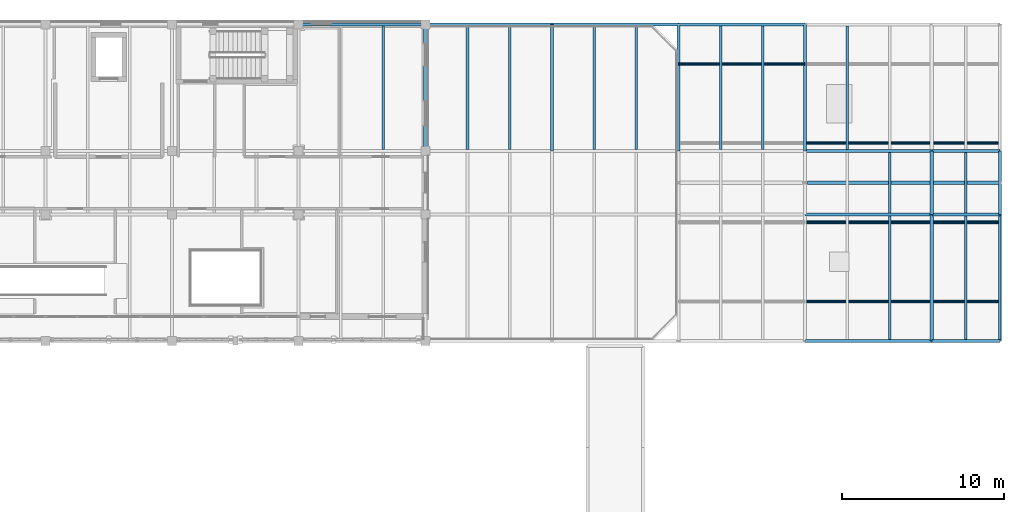
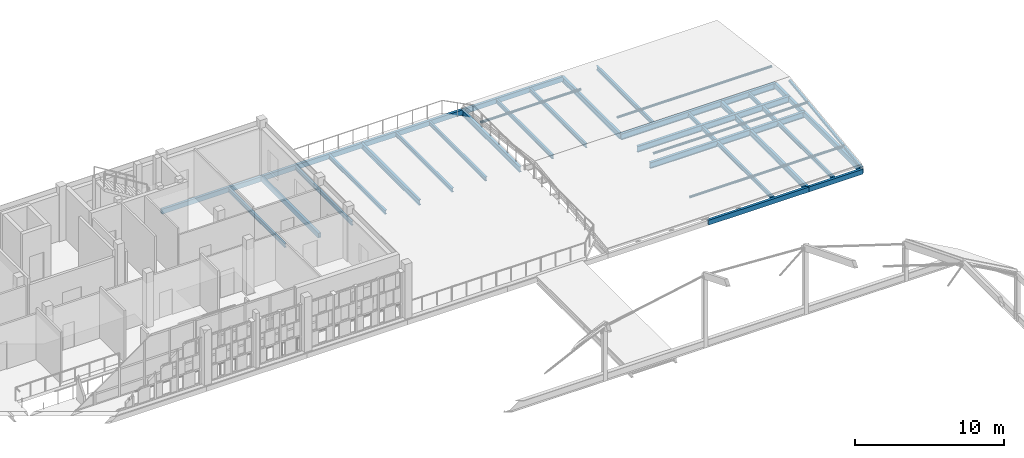
# One storey, part 64 of 119: 31 beams, 5 members.
"""IFC4 building model written with IfcOpenShell, lengths in metres."""

import ifcopenshell
import ifcopenshell.guid

model = None  # the IFC model being written
_history = None  # IfcOwnerHistory: only IFC2X3 demands one
_inside = {}  # id of a spatial element -> (the spatial element, [elements in it])
_under = {}  # id of a project, library or spatial element -> (it, [spatial elements below it])
_declared = {}  # id of a project -> (the project, [libraries it declares])
_typed = {}  # id of a type object -> (the type object, [elements of that type])
_made_of = {}  # id of a material, layer set ... -> (it, [elements and type objects made of it])


def new_model(schema):
    """Start an empty IFC model of exactly this schema.

    Asked for "IFC4X3", IfcOpenShell would pick the latest addendum, in which some entities
    have other attributes; the version numbers below select the first issue.
    IFC2X3 requires an IfcOwnerHistory on every rooted entity: one is made here for all.
    """
    global model, _history
    if schema == "IFC4X3":
        model = ifcopenshell.file(schema_version=(4, 3, 0, 0))
    else:
        model = ifcopenshell.file(schema=schema)
    _inside.clear()
    _under.clear()
    _declared.clear()
    _typed.clear()
    _made_of.clear()
    _history = None
    if model.schema == "IFC2X3":
        org = make("IfcOrganization", Name="unknown")
        user = make(
            "IfcPersonAndOrganization",
            ThePerson=make("IfcPerson", FamilyName="unknown"),
            TheOrganization=org,
        )
        app = make(
            "IfcApplication",
            ApplicationDeveloper=org,
            Version="unknown",
            ApplicationFullName="unknown",
            ApplicationIdentifier="unknown",
        )
        _history = make(
            "IfcOwnerHistory",
            OwningUser=user,
            OwningApplication=app,
            ChangeAction="ADDED",
            CreationDate=0,
        )
    return model


def make(cls, **values):
    """One entity of the class cls with the attributes given. An attribute that is None is left unset."""
    return model.create_entity(
        cls, **{name: value for name, value in values.items() if value is not None}
    )


def rooted(cls, **values):
    """An entity with a GlobalId (a new one), such as an element, a storey or a relation."""
    return make(cls, GlobalId=ifcopenshell.guid.new(), OwnerHistory=_history, **values)


def si_unit(unit_type, name, prefix=None):
    """IfcSIUnit, for example si_unit("LENGTHUNIT", "METRE", prefix="MILLI")."""
    return make("IfcSIUnit", UnitType=unit_type, Prefix=prefix, Name=name)


def assignment(units):
    """IfcUnitAssignment: the units of a project."""
    return None if units is None else make("IfcUnitAssignment", Units=units)


def point(xyz):
    """IfcCartesianPoint."""
    return None if xyz is None else make("IfcCartesianPoint", Coordinates=xyz)


def direction(xyz):
    """IfcDirection."""
    return None if xyz is None else make("IfcDirection", DirectionRatios=xyz)


def frame(location, z_axis=None, x_axis=None):
    """IfcAxis2Placement3D, a coordinate frame: its origin and axes. An axis left out is left unset."""
    return make(
        "IfcAxis2Placement3D",
        Location=point(location),
        Axis=direction(z_axis),
        RefDirection=direction(x_axis),
    )


def frame_2d(location, x_axis=None):
    """IfcAxis2Placement2D, a coordinate frame in the plane: its origin and x axis."""
    return make(
        "IfcAxis2Placement2D", Location=point(location), RefDirection=direction(x_axis)
    )


def origin():
    """The frame at (0, 0, 0) with its axes left unset."""
    return frame((0.0, 0.0, 0.0))


def origin_2d():
    """The frame at (0, 0) in the plane with its x axis left unset."""
    return frame_2d((0.0, 0.0))


def place(relative_to, where):
    """IfcLocalPlacement: puts the frame where relative to a parent placement (None: the world)."""
    return make(
        "IfcLocalPlacement", PlacementRelTo=relative_to, RelativePlacement=where
    )


def context(
    kind, dimensions, precision=None, world=None, true_north=None, identifier=None
):
    """IfcGeometricRepresentationContext, for example the 3D "Model" context."""
    return make(
        "IfcGeometricRepresentationContext",
        ContextIdentifier=identifier,
        ContextType=kind,
        CoordinateSpaceDimension=dimensions,
        Precision=precision,
        WorldCoordinateSystem=world,
        TrueNorth=true_north,
    )


def subcontext(parent, identifier, kind, view, scale=None):
    """IfcGeometricRepresentationSubContext, for example "Body" below "Model"."""
    return make(
        "IfcGeometricRepresentationSubContext",
        ContextIdentifier=identifier,
        ContextType=kind,
        ParentContext=parent,
        TargetScale=scale,
        TargetView=view,
    )


def project(units=None, contexts=None):
    """IfcProject with its units and contexts."""
    return rooted(
        "IfcProject",
        Name="project",
        RepresentationContexts=contexts,
        UnitsInContext=assignment(units),
    )


def spatial(cls, under=None, at=None, **own):
    """A site, building, storey or space (cls), placed at a placement, below another one or the project."""
    s = rooted(cls, ObjectPlacement=at, **own)
    if under is not None:
        _under.setdefault(under.id(), (under, []))[1].append(s)
    return s


def profile(cls, at=None, kind="AREA", **sizes):
    """A parametric profile (cls). Its sizes go by their IFC names, for example OverallWidth=200.0."""
    return make(cls, ProfileType=kind, Position=at, **sizes)


def hollow_rectangle(**sizes):
    """IfcRectangleHollowProfileDef."""
    return profile("IfcRectangleHollowProfileDef", **sizes)


def hollow_circle(**sizes):
    """IfcCircleHollowProfileDef."""
    return profile("IfcCircleHollowProfileDef", **sizes)


def i_section(**sizes):
    """IfcIShapeProfileDef."""
    return profile("IfcIShapeProfileDef", **sizes)


def extrude(swept, where, along, depth):
    """IfcExtrudedAreaSolid: the profile swept, set in the frame where, extruded along a direction by depth."""
    return make(
        "IfcExtrudedAreaSolid",
        SweptArea=swept,
        Position=where,
        ExtrudedDirection=direction(along),
        Depth=depth,
    )


def shape(context_of_items, identifier, shape_type, items):
    """IfcShapeRepresentation: the items that make up one representation, for example the "Body"."""
    return make(
        "IfcShapeRepresentation",
        ContextOfItems=context_of_items,
        RepresentationIdentifier=identifier,
        RepresentationType=shape_type,
        Items=items,
    )


def material(Name=None, Category=None):
    """IfcMaterial."""
    return make("IfcMaterial", Name=Name, Category=Category)


def material_profile(
    of_material, cross_section, Name=None, Category=None, Priority=None
):
    """IfcMaterialProfile: a cross section and its material."""
    return make(
        "IfcMaterialProfile",
        Name=Name,
        Material=of_material,
        Profile=cross_section,
        Priority=Priority,
        Category=Category,
    )


def profile_set(profiles, Name=None, composite=None):
    """IfcMaterialProfileSet."""
    return make(
        "IfcMaterialProfileSet",
        Name=Name,
        MaterialProfiles=profiles,
        CompositeProfile=composite,
    )


def made_of(thing, what):
    """Note that an element or type object is made of a material, layer set ...; save() writes the relation."""
    if what is not None:
        _made_of.setdefault(what.id(), (what, []))[1].append(thing)
    return thing


def type_object(cls, material=None, **own):
    """A type object (cls), such as IfcWallType, which elements share."""
    return made_of(rooted(cls, **own), material)


def element(
    cls,
    number,
    at=None,
    inside=None,
    cuts=None,
    type_object=None,
    material=None,
    context=None,
    identifier="Body",
    shape_type=None,
    held_by="IfcProductDefinitionShape",
    body=None,
    shapes=None,
    **own,
):
    """One element of the class cls, such as IfcWall. Its Tag is "e" and its number.

    at: its placement. inside: the storey or other place that contains it. cuts: it is an
    opening in that element (IfcRelVoidsElement). A single representation is given by context,
    identifier, shape_type and body (its items); several are given by shapes. held_by: the class
    of the entity that holds the representations. save() writes the other relations.
    """
    e = rooted(cls, Tag="e%d" % number, ObjectPlacement=at, **own)
    if body is not None:
        shapes = [shape(context, identifier, shape_type, body)]
    if shapes is not None:
        e.Representation = make(held_by, Representations=shapes)
    if inside is not None:
        _inside.setdefault(inside.id(), (inside, []))[1].append(e)
    if cuts is not None:
        rooted(
            "IfcRelVoidsElement", RelatingBuildingElement=cuts, RelatedOpeningElement=e
        )
    if type_object is not None:
        _typed.setdefault(type_object.id(), (type_object, []))[1].append(e)
    return made_of(e, material)


def aggregate(whole, parts):
    """IfcRelAggregates: a whole, such as a stair, and the parts it consists of."""
    return rooted("IfcRelAggregates", RelatingObject=whole, RelatedObjects=parts)


def save(model, path):
    """Write the relations noted so far, then the file.

    IfcRelAggregates (storeys below a building ...), IfcRelContainedInSpatialStructure (elements
    in a storey), IfcRelDefinesByType, IfcRelAssociatesMaterial and IfcRelDeclares: one each for
    every whole, place, type object, material and project.
    """
    for whole, parts in _under.values():
        aggregate(whole, parts)
    for where, things in _inside.values():
        rooted(
            "IfcRelContainedInSpatialStructure",
            RelatedElements=things,
            RelatingStructure=where,
        )
    for kind, things in _typed.values():
        rooted("IfcRelDefinesByType", RelatedObjects=things, RelatingType=kind)
    for what, things in _made_of.values():
        rooted("IfcRelAssociatesMaterial", RelatedObjects=things, RelatingMaterial=what)
    for by, libraries in _declared.values():
        rooted("IfcRelDeclares", RelatingContext=by, RelatedDefinitions=libraries)
    model.write(path)


model = new_model("IFC4")

# Units and contexts
model_context = context("Model", 3, precision=1e-05, world=origin(), true_north=direction((0.0, 1.0)))
body_context = subcontext(model_context, "Body", "Model", "MODEL_VIEW")
ifc_project = project(units=[si_unit("LENGTHUNIT", "METRE"), si_unit("AREAUNIT", "SQUARE_METRE"), si_unit("VOLUMEUNIT", "CUBIC_METRE"), si_unit("PLANEANGLEUNIT", "RADIAN"), si_unit("MASSUNIT", "GRAM", prefix="KILO")], contexts=[model_context])

# Site, building, storey
site_placement = place(None, origin())
site = spatial("IfcSite", under=ifc_project, at=site_placement, CompositionType="ELEMENT")
building_placement = place(site_placement, origin())
building = spatial("IfcBuilding", under=site, at=building_placement, Name="Celorna Specialist Clinic", CompositionType="ELEMENT")
storey_placement = place(building_placement, frame((0.0, 0.0, 9.60009765625)))
storey = spatial("IfcBuildingStorey", under=building, at=storey_placement, Name="L02", CompositionType="ELEMENT", Elevation=9.60009765625)

# Beams
ifc_material = material(Name="Steel S355", Category="steel")
ifc_material_profile_1 = material_profile(ifc_material, i_section(OverallWidth=0.199951171875, OverallDepth=0.5, WebThickness=0.01025390625, FlangeThickness=0.01611328125, at=origin_2d()), Name="IPE 500")
ifc_profile_set_1 = profile_set([ifc_material_profile_1], Name="Steel S355")
beam_type_1 = type_object("IfcBeamType", Name="BM-08", PredefinedType="BEAM", material=ifc_profile_set_1)
beam_1_placement = place(storey_placement, frame((156.0, 104.300048828125, -0.510009765625), z_axis=(1.0, 0.0, 0.0), x_axis=(0.0, 1.0, 0.0)))
element("IfcBeam", 1, at=beam_1_placement, inside=storey, type_object=beam_type_1, Name="Primary girder BM-08 #2255", PredefinedType="BEAM", context=body_context, shape_type="SweptSolid", body=[
    extrude(i_section(OverallWidth=0.199951171875, OverallDepth=0.5, WebThickness=0.01025390625, FlangeThickness=0.01611328125, at=origin_2d()), origin(), (0.0, 0.0, 1.0), 7.800048828125),
])
beam_2_placement = place(storey_placement, frame((163.800048828125, 104.300048828125, -0.510009765625), z_axis=(1.0, 0.0, 0.0), x_axis=(0.0, 1.0, 0.0)))
element("IfcBeam", 2, at=beam_2_placement, inside=storey, type_object=beam_type_1, Name="Primary girder BM-08 #2256", PredefinedType="BEAM", context=body_context, shape_type="SweptSolid", body=[
    extrude(i_section(OverallWidth=0.199951171875, OverallDepth=0.5, WebThickness=0.01025390625, FlangeThickness=0.01611328125, at=origin_2d()), origin(), (0.0, 0.0, 1.0), 4.199951171875),
])
beam_3_placement = place(storey_placement, frame((156.0, 108.199951171875, -0.510009765625), z_axis=(1.0, 0.0, 0.0), x_axis=(0.0, 1.0, 0.0)))
element("IfcBeam", 3, at=beam_3_placement, inside=storey, type_object=beam_type_1, Name="Primary girder BM-08 #2260", PredefinedType="BEAM", context=body_context, shape_type="SweptSolid", body=[
    extrude(i_section(OverallWidth=0.199951171875, OverallDepth=0.5, WebThickness=0.01025390625, FlangeThickness=0.01611328125, at=origin_2d()), origin(), (0.0, 0.0, 1.0), 7.800048828125),
])
beam_4_placement = place(storey_placement, frame((163.800048828125, 108.199951171875, -0.510009765625), z_axis=(1.0, 0.0, 0.0), x_axis=(0.0, 1.0, 0.0)))
element("IfcBeam", 4, at=beam_4_placement, inside=storey, type_object=beam_type_1, Name="Primary girder BM-08 #2261", PredefinedType="BEAM", context=body_context, shape_type="SweptSolid", body=[
    extrude(i_section(OverallWidth=0.199951171875, OverallDepth=0.5, WebThickness=0.01025390625, FlangeThickness=0.01611328125, at=origin_2d()), origin(), (0.0, 0.0, 1.0), 4.199951171875),
])
beam_5_placement = place(storey_placement, frame((156.14990234375, 106.25, -0.400146484375), z_axis=(1.0, 0.0, 0.0), x_axis=(0.0, 1.0, 0.0)))
element("IfcBeam", 5, at=beam_5_placement, inside=storey, type_object=beam_type_1, Name="V4 east pavilion roof ridge girder", PredefinedType="BEAM", context=body_context, shape_type="SweptSolid", body=[
    extrude(i_section(OverallWidth=0.199951171875, OverallDepth=0.5, WebThickness=0.01025390625, FlangeThickness=0.01611328125, at=origin_2d()), origin(), (0.0, 0.0, 1.0), 11.85009765625),
])
ifc_material_profile_2 = material_profile(ifc_material, i_section(OverallWidth=0.18994140625, OverallDepth=0.449951171875, WebThickness=0.009521484375, FlangeThickness=0.0146484375, at=origin_2d()), Name="IPE 450")
ifc_profile_set_2 = profile_set([ifc_material_profile_2], Name="Steel S355")
beam_type_2 = type_object("IfcBeamType", Name="BM-09", PredefinedType="BEAM", material=ifc_profile_set_2)
for number, where, z_axis, x_axis, name in (
    (6, (140.39990234375, 108.199951171875, -0.485107421875), (0.0, 1.0, 0.0), (-1.0, 0.0, 0.0), "Transverse girder BM-09 #2269"),
    (7, (148.199951171875, 108.199951171875, -0.485107421875), (0.0, 1.0, 0.0), (-1.0, 0.0, 0.0), "Transverse girder BM-09 #2272"),
    (8, (156.0, 108.199951171875, -0.485107421875), (0.0, 1.0, 0.0), (-1.0, 0.0, 0.0), "Transverse girder BM-09 #2275"),
    (9, (163.800048828125, 96.5, -0.485107421875), (0.0, 1.0, 0.0), (-1.0, 0.0, 0.0), "Transverse girder BM-09 #2276"),
):
    element("IfcBeam", number, at=place(storey_placement, frame(where, z_axis=z_axis, x_axis=x_axis)), inside=storey, type_object=beam_type_2, Name=name, PredefinedType="BEAM", context=body_context, shape_type="SweptSolid", body=[
        extrude(i_section(OverallWidth=0.18994140625, OverallDepth=0.449951171875, WebThickness=0.009521484375, FlangeThickness=0.0146484375, at=origin_2d()), origin(), (0.0, 0.0, 1.0), 7.800048828125),
    ])
beam_6_placement = place(storey_placement, frame((163.800048828125, 104.300048828125, -0.485107421875), z_axis=(0.0, 1.0, 0.0), x_axis=(-1.0, 0.0, 0.0)))
element("IfcBeam", 10, at=beam_6_placement, inside=storey, type_object=beam_type_2, Name="Transverse girder BM-09 #2277", PredefinedType="BEAM", context=body_context, shape_type="SweptSolid", body=[
    extrude(i_section(OverallWidth=0.18994140625, OverallDepth=0.449951171875, WebThickness=0.009521484375, FlangeThickness=0.0146484375, at=origin_2d()), origin(), (0.0, 0.0, 1.0), 3.89990234375),
])
ifc_material_profile_3 = material_profile(ifc_material, i_section(OverallWidth=0.159912109375, OverallDepth=0.330078125, WebThickness=0.007568359375, FlangeThickness=0.011474609375, at=origin_2d()), Name="IPE 330")
ifc_profile_set_3 = profile_set([ifc_material_profile_3], Name="Steel S355")
beam_type_3 = type_object("IfcBeamType", Name="BM-12", PredefinedType="JOIST", material=ifc_profile_set_3)
for number, where, z_axis, x_axis, name in (
    (11, (130.0, 108.2880859375, -0.425048828125), (0.0, 1.0, 0.0), (-1.0, 0.0, 0.0), "Secondary floor joist BM-12 #1200"),
    (12, (135.199951171875, 108.2880859375, -0.425048828125), (0.0, 1.0, 0.0), (-1.0, 0.0, 0.0), "Secondary floor joist BM-12 #2286"),
    (13, (137.800048828125, 108.2880859375, -0.425048828125), (0.0, 1.0, 0.0), (-1.0, 0.0, 0.0), "Secondary floor joist BM-12 #2287"),
    (14, (143.0, 108.2880859375, -0.425048828125), (0.0, 1.0, 0.0), (-1.0, 0.0, 0.0), "Secondary floor joist BM-12 #2292"),
    (15, (145.60009765625, 108.2880859375, -0.425048828125), (0.0, 1.0, 0.0), (-1.0, 0.0, 0.0), "Secondary floor joist BM-12 #2293"),
    (16, (150.800048828125, 108.2880859375, -0.425048828125), (0.0, 1.0, 0.0), (-1.0, 0.0, 0.0), "Secondary floor joist BM-12 #2298"),
    (17, (153.39990234375, 108.2880859375, -0.425048828125), (0.0, 1.0, 0.0), (-1.0, 0.0, 0.0), "Secondary floor joist BM-12 #2299"),
    (18, (161.199951171875, 96.587890625, -0.425048828125), (0.0, 1.0, 0.0), (-1.0, 0.0, 0.0), "Secondary floor joist BM-12 #2301"),
):
    element("IfcBeam", number, at=place(storey_placement, frame(where, z_axis=z_axis, x_axis=x_axis)), inside=storey, type_object=beam_type_3, Name=name, PredefinedType="JOIST", context=body_context, shape_type="SweptSolid", body=[
        extrude(i_section(OverallWidth=0.159912109375, OverallDepth=0.330078125, WebThickness=0.007568359375, FlangeThickness=0.011474609375, at=origin_2d()), origin(), (0.0, 0.0, 1.0), 7.6240234375),
    ])
beam_7_placement = place(storey_placement, frame((161.199951171875, 104.387939453125, -0.425048828125), z_axis=(0.0, 1.0, 0.0), x_axis=(-1.0, 0.0, 0.0)))
element("IfcBeam", 19, at=beam_7_placement, inside=storey, type_object=beam_type_3, Name="Secondary floor joist BM-12 #2303", PredefinedType="JOIST", context=body_context, shape_type="SweptSolid", body=[
    extrude(i_section(OverallWidth=0.159912109375, OverallDepth=0.330078125, WebThickness=0.007568359375, FlangeThickness=0.011474609375, at=origin_2d()), origin(), (0.0, 0.0, 1.0), 3.72412109375),
])
for number, where, z_axis, x_axis, name in (
    (20, (158.60009765625, 108.2880859375, -0.425048828125), (0.0, 1.0, 0.0), (-1.0, 0.0, 0.0), "Secondary floor joist BM-12 #2304"),
    (21, (165.89990234375, 96.587890625, -0.425048828125), (0.0, 1.0, 0.0), (-1.0, 0.0, 0.0), "Secondary floor joist BM-12 #2306"),
):
    element("IfcBeam", number, at=place(storey_placement, frame(where, z_axis=z_axis, x_axis=x_axis)), inside=storey, type_object=beam_type_3, Name=name, PredefinedType="JOIST", context=body_context, shape_type="SweptSolid", body=[
        extrude(i_section(OverallWidth=0.159912109375, OverallDepth=0.330078125, WebThickness=0.007568359375, FlangeThickness=0.011474609375, at=origin_2d()), origin(), (0.0, 0.0, 1.0), 7.6240234375),
    ])
beam_8_placement = place(storey_placement, frame((165.89990234375, 104.387939453125, -0.425048828125), z_axis=(0.0, 1.0, 0.0), x_axis=(-1.0, 0.0, 0.0)))
element("IfcBeam", 22, at=beam_8_placement, inside=storey, type_object=beam_type_3, Name="Secondary floor joist BM-12 #2307", PredefinedType="JOIST", context=body_context, shape_type="SweptSolid", body=[
    extrude(i_section(OverallWidth=0.159912109375, OverallDepth=0.330078125, WebThickness=0.007568359375, FlangeThickness=0.011474609375, at=origin_2d()), origin(), (0.0, 0.0, 1.0), 3.72412109375),
])
ifc_material_profile_4 = material_profile(ifc_material, hollow_rectangle(XDim=0.199951171875, YDim=0.39990234375, WallThickness=0.011962890625, at=origin_2d()), Name="RHS 200x400x12")
ifc_profile_set_4 = profile_set([ifc_material_profile_4], Name="Steel S355")
beam_type_4 = type_object("IfcBeamType", Name="BM-15", PredefinedType="SPANDREL", material=ifc_profile_set_4)
for number, where, z_axis, x_axis, name in (
    (23, (124.800048828125, 116.0, -0.460205078125), (1.0, 0.0, 0.0), (0.0, 1.0, 0.0), "Spandrel beam BM-15 #1109"),
    (24, (132.60009765625, 108.199951171875, -0.460205078125), (0.0, 1.0, 0.0), (-1.0, 0.0, 0.0), "Spandrel beam BM-15 #1144"),
    (25, (156.0, 96.5, -0.460205078125), (1.0, 0.0, 0.0), (0.0, 1.0, 0.0), "Spandrel beam BM-15 #2250"),
):
    element("IfcBeam", number, at=place(storey_placement, frame(where, z_axis=z_axis, x_axis=x_axis)), inside=storey, type_object=beam_type_4, Name=name, PredefinedType="SPANDREL", context=body_context, shape_type="SweptSolid", body=[
        extrude(hollow_rectangle(XDim=0.199951171875, YDim=0.39990234375, WallThickness=0.011962890625, at=origin_2d()), origin(), (0.0, 0.0, 1.0), 7.800048828125),
    ])
beam_9_placement = place(storey_placement, frame((163.800048828125, 96.5, -0.460205078125), z_axis=(1.0, 0.0, 0.0), x_axis=(0.0, 1.0, 0.0)))
element("IfcBeam", 26, at=beam_9_placement, inside=storey, type_object=beam_type_4, Name="Spandrel beam BM-15 #2251", PredefinedType="SPANDREL", context=body_context, shape_type="SweptSolid", body=[
    extrude(hollow_rectangle(XDim=0.199951171875, YDim=0.39990234375, WallThickness=0.011962890625, at=origin_2d()), origin(), (0.0, 0.0, 1.0), 4.199951171875),
])
beam_10_placement = place(storey_placement, frame((132.60009765625, 116.0, -0.460205078125), z_axis=(1.0, 0.0, 0.0), x_axis=(0.0, 1.0, 0.0)))
element("IfcBeam", 27, at=beam_10_placement, inside=storey, type_object=beam_type_4, Name="Spandrel beam BM-15 #2262", PredefinedType="SPANDREL", context=body_context, shape_type="SweptSolid", body=[
    extrude(hollow_rectangle(XDim=0.199951171875, YDim=0.39990234375, WallThickness=0.011962890625, at=origin_2d()), origin(), (0.0, 0.0, 1.0), 7.7998046875),
])
for number, where, z_axis, x_axis, name in (
    (28, (140.39990234375, 116.0, -0.460205078125), (1.0, 0.0, 0.0), (0.0, 1.0, 0.0), "Spandrel beam BM-15 #2263"),
    (29, (148.199951171875, 116.0, -0.460205078125), (1.0, 0.0, 0.0), (0.0, 1.0, 0.0), "Spandrel beam BM-15 #2264"),
    (30, (168.0, 96.5, -0.460205078125), (0.0, 1.0, 0.0), (-1.0, 0.0, 0.0), "Spandrel beam BM-15 #2279"),
):
    element("IfcBeam", number, at=place(storey_placement, frame(where, z_axis=z_axis, x_axis=x_axis)), inside=storey, type_object=beam_type_4, Name=name, PredefinedType="SPANDREL", context=body_context, shape_type="SweptSolid", body=[
        extrude(hollow_rectangle(XDim=0.199951171875, YDim=0.39990234375, WallThickness=0.011962890625, at=origin_2d()), origin(), (0.0, 0.0, 1.0), 7.800048828125),
    ])
beam_11_placement = place(storey_placement, frame((168.0, 104.300048828125, -0.460205078125), z_axis=(0.0, 1.0, 0.0), x_axis=(-1.0, 0.0, 0.0)))
element("IfcBeam", 31, at=beam_11_placement, inside=storey, type_object=beam_type_4, Name="Spandrel beam BM-15 #2280", PredefinedType="SPANDREL", context=body_context, shape_type="SweptSolid", body=[
    extrude(hollow_rectangle(XDim=0.199951171875, YDim=0.39990234375, WallThickness=0.011962890625, at=origin_2d()), origin(), (0.0, 0.0, 1.0), 3.89990234375),
])

# Members
ifc_material_profile_5 = material_profile(ifc_material, hollow_circle(Radius=0.096923828125, WallThickness=0.010009765625, at=origin_2d()), Name="CHS 193.7x10")
ifc_profile_set_5 = profile_set([ifc_material_profile_5], Name="Steel S355")
member_type_1 = type_object("IfcMemberType", Name="MB-04", PredefinedType="PURLIN", material=ifc_profile_set_5)
for number, where, z_axis, x_axis, name in (
    (32, (156.0, 98.9375, 0.12548828125), (1.0, 0.0, 0.0), (0.0, 1.0, 0.0), "Roof purlin WP-354-WP-355"),
    (33, (156.0, 103.8125, 0.760498046875), (1.0, 0.0, 0.0), (0.0, 1.0, 0.0), "Roof purlin WP-357-WP-358"),
    (34, (156.0, 108.6875, 0.760498046875), (1.0, 0.0, 0.0), (0.0, 1.0, 0.0), "Roof purlin WP-363-WP-364"),
):
    element("IfcMember", number, at=place(storey_placement, frame(where, z_axis=z_axis, x_axis=x_axis)), inside=storey, type_object=member_type_1, Name=name, PredefinedType="PURLIN", context=body_context, shape_type="SweptSolid", body=[
        extrude(hollow_circle(Radius=0.096923828125, WallThickness=0.010009765625, at=origin_2d()), origin(), (0.0, 0.0, 1.0), 12.0),
    ])
member_1_placement = place(storey_placement, frame((148.199951171875, 113.5625, 0.12548828125), z_axis=(1.0, 0.0, 0.0), x_axis=(0.0, 1.0, 0.0)))
element("IfcMember", 35, at=member_1_placement, inside=storey, type_object=member_type_1, Name="Roof purlin WP-365-WP-366", PredefinedType="PURLIN", context=body_context, shape_type="SweptSolid", body=[
    extrude(hollow_circle(Radius=0.096923828125, WallThickness=0.010009765625, at=origin_2d()), origin(), (0.0, 0.0, 1.0), 7.800048828125),
])
ifc_material_profile_6 = material_profile(ifc_material, hollow_rectangle(XDim=0.159912109375, YDim=0.159912109375, WallThickness=0.010009765625, at=origin_2d()), Name="SHS 160x160x10")
ifc_profile_set_6 = profile_set([ifc_material_profile_6], Name="Steel S355")
member_type_2 = type_object("IfcMemberType", Name="MB-09", PredefinedType="CHORD", material=ifc_profile_set_6)
member_2_placement = place(storey_placement, frame((168.0, 96.5, -0.2021484375), z_axis=(0.0, 0.991622826619, 0.129167216148), x_axis=(-1.0, 0.0, 0.0)))
element("IfcMember", 36, at=member_2_placement, inside=storey, type_object=member_type_2, Name="Pitched roof rafter chord WP-351-WP-352", PredefinedType="CHORD", context=body_context, shape_type="SweptSolid", body=[
    extrude(hollow_rectangle(XDim=0.159912109375, YDim=0.159912109375, WallThickness=0.010009765625, at=origin_2d()), origin(), (0.0, 0.0, 1.0), 9.832275390625),
])

save(model, "model.ifc")
